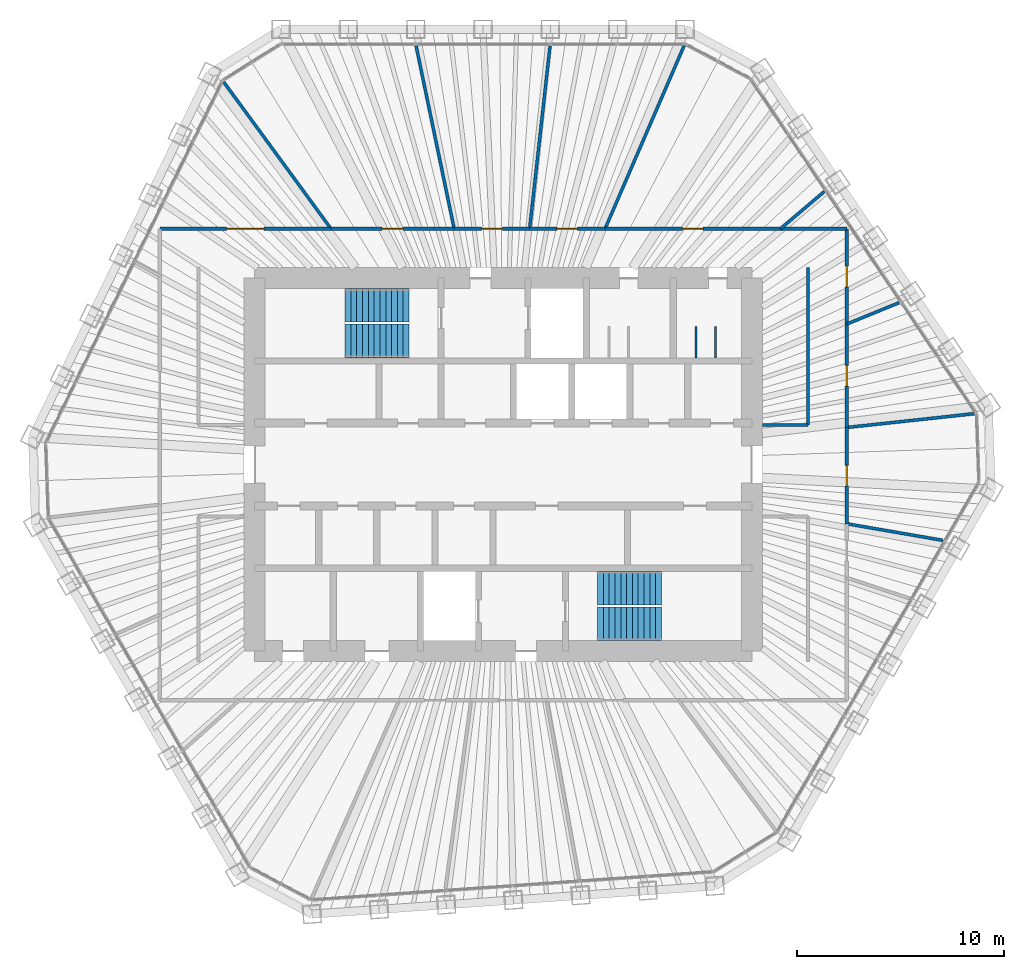
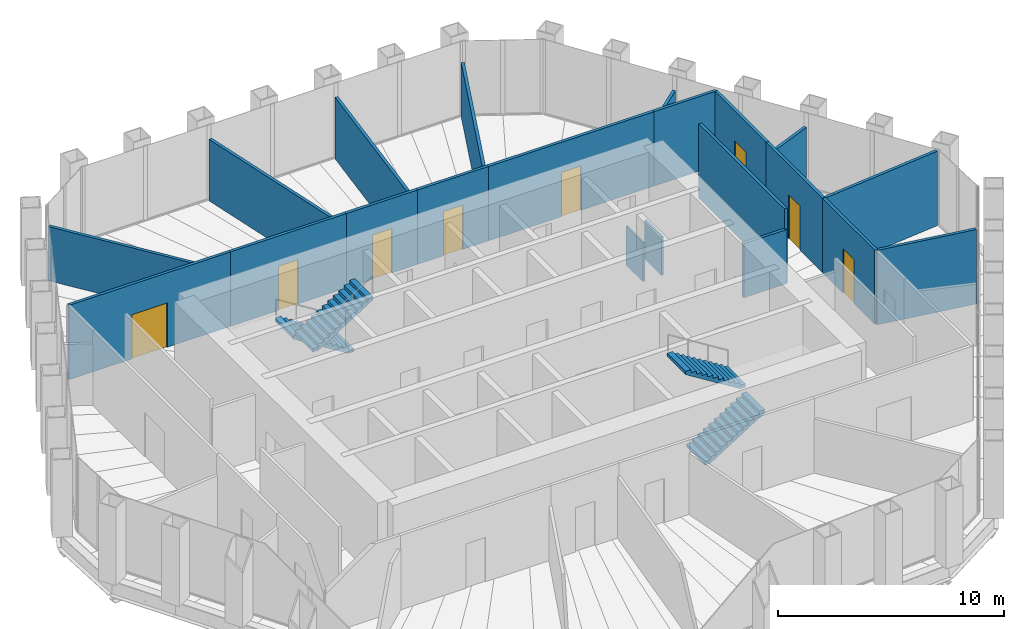
# One storey, part 13 of 14: 21 walls, 8 doors, 4 stair flights, 8 openings, 2 elements without a shape of their own.
"""IFC4 building model written with IfcOpenShell, lengths in metres."""

from ifc_helpers import new_model, si_unit, direction, frame, frame_2d, origin, place, context, subcontext, project, spatial, polyline, rectangle, outline, extrude, material, layer, layer_set, type_object, element, fill, aggregate, save


model = new_model("IFC4")

# Units and contexts
model_context = context("Model", 3, precision=1e-05, world=origin(), true_north=direction((0.0, 1.0)))
body_context = subcontext(model_context, "Body", "Model", "MODEL_VIEW")
ifc_project = project(units=[si_unit("LENGTHUNIT", "METRE"), si_unit("AREAUNIT", "SQUARE_METRE"), si_unit("VOLUMEUNIT", "CUBIC_METRE"), si_unit("PLANEANGLEUNIT", "RADIAN"), si_unit("MASSUNIT", "GRAM", prefix="KILO")], contexts=[model_context])

# Site, building, storey
site_placement = place(None, origin())
site = spatial("IfcSite", under=ifc_project, at=site_placement, CompositionType="ELEMENT")
building_placement = place(site_placement, origin())
building = spatial("IfcBuilding", under=site, at=building_placement, Name="Qingtian Harvest Tower", CompositionType="ELEMENT")
storey_placement = place(building_placement, frame((0.0, 0.0, 283.0)))
storey = spatial("IfcBuildingStorey", under=building, at=storey_placement, Name="L62", CompositionType="ELEMENT", Elevation=283.0)

# Wall
ifc_material_1 = material(Name="Gypsum board on steel studs", Category="steel")
ifc_layer_1 = layer(ifc_material_1, 0.14990234375)
ifc_layer_set_1 = layer_set([ifc_layer_1], Name="Partition PT1 150")
wall_type_1 = type_object("IfcWallType", Name="Partition PT1 150", PredefinedType="PARTITIONING", material=ifc_layer_set_1)
wall_1_placement = place(storey_placement, frame((-13.486083984375, 18.455322265625, 0.0), z_axis=(0.0, 0.0, 1.0), x_axis=(0.589997742419, -0.807404894672, 0.0)))
element("IfcWall", 1, at=wall_1_placement, inside=storey, type_object=wall_type_1, Name="Training room wall L62", PredefinedType="PARTITIONING", context=body_context, shape_type="SweptSolid", body=[
    extrude(rectangle(XDim=8.769287109375, YDim=0.14990234375, at=frame_2d((4.384765625, 0.0))), origin(), (0.0, 0.0, 1.0), 2.929931640625),
])

# Wall, opening, door
wall_2_placement = place(storey_placement, frame((-8.312255859375, 11.375, 0.0), z_axis=(0.0, 0.0, 1.0), x_axis=(1.0, 0.0, 0.0)))
wall_2 = element("IfcWall", 2, at=wall_2_placement, inside=storey, type_object=wall_type_1, Name="Training room wall L62", PredefinedType="PARTITIONING", context=body_context, shape_type="SweptSolid", body=[
    extrude(rectangle(XDim=5.944091796875, YDim=0.14990234375, at=frame_2d((2.97216796875, 0.0))), origin(), (0.0, 0.0, 1.0), 4.030029296875),
])
opening_1_placement = place(wall_2_placement, frame((2.47216796875, 0.0, 0.0)))
opening_1 = element("IfcOpeningElement", 3, at=opening_1_placement, cuts=wall_2, Name="Opening D2", PredefinedType="OPENING", context=body_context, shape_type="SweptSolid", body=[
    extrude(rectangle(XDim=1.0, YDim=2.39990234375, at=frame_2d((0.5, 1.199951171875))), frame((0.0, 0.0849609375, 0.0), z_axis=(0.0, -1.0, 0.0), x_axis=(1.0, 0.0, 0.0)), (0.0, 0.0, 1.0), 0.169921875),
])
ifc_material_2 = material(Name="Laminated timber door leaf", Category="wood")
door_type_1 = type_object("IfcDoorType", Name="Room door D2 single", OperationType="SINGLE_SWING_LEFT", PredefinedType="DOOR", material=ifc_material_2)
door_1_placement = place(opening_1_placement, origin())
door_1 = element("IfcDoor", 4, at=door_1_placement, inside=storey, type_object=door_type_1, Name="Training room door L62", OperationType="SINGLE_SWING_RIGHT", OverallHeight=2.39990234375, OverallWidth=1.0, PredefinedType="DOOR", context=body_context, shape_type="SweptSolid", body=[
    extrude(rectangle(XDim=1.0, YDim=2.39990234375, at=frame_2d((0.5, 1.199951171875))), frame((0.0, 0.02490234375, 0.0), z_axis=(0.0, -1.0, 0.0), x_axis=(1.0, 0.0, 0.0)), (0.0, 0.0, 1.0), 0.050048828125),
])
fill(opening_1, door_1)

# Wall
wall_3_placement = place(storey_placement, frame((-4.205810546875, 20.2021484375, 0.0), z_axis=(0.0, 0.0, 1.0), x_axis=(0.203811521205, -0.979010144904, 0.0)))
element("IfcWall", 5, at=wall_3_placement, inside=storey, type_object=wall_type_1, Name="Training room wall L62", PredefinedType="PARTITIONING", context=body_context, shape_type="SweptSolid", body=[
    extrude(rectangle(XDim=9.016357421875, YDim=0.14990234375, at=frame_2d((4.50830078125, 0.0))), origin(), (0.0, 0.0, 1.0), 3.330078125),
])

# Wall, opening, door
wall_4_placement = place(storey_placement, frame((-2.3681640625, 11.375, 0.0), z_axis=(0.0, 0.0, 1.0), x_axis=(1.0, 0.0, 0.0)))
wall_4 = element("IfcWall", 6, at=wall_4_placement, inside=storey, type_object=wall_type_1, Name="Training room wall L62", PredefinedType="PARTITIONING", context=body_context, shape_type="SweptSolid", body=[
    extrude(rectangle(XDim=3.64013671875, YDim=0.14990234375, at=frame_2d((1.820068359375, 0.0))), origin(), (0.0, 0.0, 1.0), 4.030029296875),
])
opening_2_placement = place(wall_4_placement, frame((1.320068359375, 0.0, 0.0)))
opening_2 = element("IfcOpeningElement", 7, at=opening_2_placement, cuts=wall_4, Name="Opening D2", PredefinedType="OPENING", context=body_context, shape_type="SweptSolid", body=[
    extrude(rectangle(XDim=1.0, YDim=2.39990234375, at=frame_2d((0.5, 1.199951171875))), frame((0.0, 0.0849609375, 0.0), z_axis=(0.0, -1.0, 0.0), x_axis=(1.0, 0.0, 0.0)), (0.0, 0.0, 1.0), 0.169921875),
])
door_2_placement = place(opening_2_placement, origin())
door_2 = element("IfcDoor", 8, at=door_2_placement, inside=storey, type_object=door_type_1, Name="Training room door L62", OperationType="SINGLE_SWING_LEFT", OverallHeight=2.39990234375, OverallWidth=1.0, PredefinedType="DOOR", context=body_context, shape_type="SweptSolid", body=[
    extrude(rectangle(XDim=1.0, YDim=2.39990234375, at=frame_2d((0.5, 1.199951171875))), frame((0.0, 0.02490234375, 0.0), z_axis=(0.0, -1.0, 0.0), x_axis=(1.0, 0.0, 0.0)), (0.0, 0.0, 1.0), 0.050048828125),
])
fill(opening_2, door_2)

# Wall
wall_5_placement = place(storey_placement, frame((2.2587890625, 20.20068359375, 0.0), z_axis=(0.0, 0.0, 1.0), x_axis=(-0.11111945026, -0.993807057619, 0.0)))
element("IfcWall", 9, at=wall_5_placement, inside=storey, type_object=wall_type_1, Name="Training room wall L62", PredefinedType="PARTITIONING", context=body_context, shape_type="SweptSolid", body=[
    extrude(rectangle(XDim=8.880615234375, YDim=0.14990234375, at=frame_2d((4.4404296875, 0.0))), origin(), (0.0, 0.0, 1.0), 3.330078125),
])

# Wall, opening, door
wall_6_placement = place(storey_placement, frame((1.27197265625, 11.375, 0.0), z_axis=(0.0, 0.0, 1.0), x_axis=(1.0, 0.0, 0.0)))
wall_6 = element("IfcWall", 10, at=wall_6_placement, inside=storey, type_object=wall_type_1, Name="Training room wall L62", PredefinedType="PARTITIONING", context=body_context, shape_type="SweptSolid", body=[
    extrude(rectangle(XDim=3.639892578125, YDim=0.14990234375, at=frame_2d((1.81982421875, 0.0))), origin(), (0.0, 0.0, 1.0), 4.030029296875),
])
opening_3_placement = place(wall_6_placement, frame((1.320068359375, 0.0, 0.0)))
opening_3 = element("IfcOpeningElement", 11, at=opening_3_placement, cuts=wall_6, Name="Opening D2", PredefinedType="OPENING", context=body_context, shape_type="SweptSolid", body=[
    extrude(rectangle(XDim=1.0, YDim=2.39990234375, at=frame_2d((0.5, 1.199951171875))), frame((0.0, 0.0849609375, 0.0), z_axis=(0.0, -1.0, 0.0), x_axis=(1.0, 0.0, 0.0)), (0.0, 0.0, 1.0), 0.169921875),
])
door_3_placement = place(opening_3_placement, origin())
door_3 = element("IfcDoor", 12, at=door_3_placement, inside=storey, type_object=door_type_1, Name="Training room door L62", OperationType="SINGLE_SWING_LEFT", OverallHeight=2.39990234375, OverallWidth=1.0, PredefinedType="DOOR", context=body_context, shape_type="SweptSolid", body=[
    extrude(rectangle(XDim=1.0, YDim=2.39990234375, at=frame_2d((0.5, 1.199951171875))), frame((0.0, 0.02490234375, 0.0), z_axis=(0.0, -1.0, 0.0), x_axis=(1.0, 0.0, 0.0)), (0.0, 0.0, 1.0), 0.050048828125),
])
fill(opening_3, door_3)

# Wall
wall_7_placement = place(storey_placement, frame((8.726318359375, 20.208251953125, 0.0), z_axis=(0.0, 0.0, 1.0), x_axis=(-0.396444279146, -0.918058785445, 0.0)))
element("IfcWall", 13, at=wall_7_placement, inside=storey, type_object=wall_type_1, Name="Private office wall L62", PredefinedType="PARTITIONING", context=body_context, shape_type="SweptSolid", body=[
    extrude(rectangle(XDim=9.62158203125, YDim=0.14990234375, at=frame_2d((4.810791015625, 0.0))), origin(), (0.0, 0.0, 1.0), 2.929931640625),
])

# Wall, opening, door
wall_8_placement = place(storey_placement, frame((4.911865234375, 11.375, 0.0), z_axis=(0.0, 0.0, 1.0), x_axis=(1.0, 0.0, 0.0)))
wall_8 = element("IfcWall", 14, at=wall_8_placement, inside=storey, type_object=wall_type_1, Name="Private office wall L62", PredefinedType="PARTITIONING", context=body_context, shape_type="SweptSolid", body=[
    extrude(rectangle(XDim=8.463134765625, YDim=0.14990234375, at=frame_2d((4.2314453125, 0.0))), origin(), (0.0, 0.0, 1.0), 4.030029296875),
])
opening_4_placement = place(wall_8_placement, frame((3.7314453125, 0.0, 0.0)))
opening_4 = element("IfcOpeningElement", 15, at=opening_4_placement, cuts=wall_8, Name="Opening D2", PredefinedType="OPENING", context=body_context, shape_type="SweptSolid", body=[
    extrude(rectangle(XDim=1.0, YDim=2.39990234375, at=frame_2d((0.5, 1.199951171875))), frame((0.0, 0.0849609375, 0.0), z_axis=(0.0, -1.0, 0.0), x_axis=(1.0, 0.0, 0.0)), (0.0, 0.0, 1.0), 0.169921875),
])
door_4_placement = place(opening_4_placement, origin())
door_4 = element("IfcDoor", 16, at=door_4_placement, inside=storey, type_object=door_type_1, Name="Private office door L62", OperationType="SINGLE_SWING_LEFT", OverallHeight=2.39990234375, OverallWidth=1.0, PredefinedType="DOOR", context=body_context, shape_type="SweptSolid", body=[
    extrude(rectangle(XDim=1.0, YDim=2.39990234375, at=frame_2d((0.5, 1.199951171875))), frame((0.0, 0.02490234375, 0.0), z_axis=(0.0, -1.0, 0.0), x_axis=(1.0, 0.0, 0.0)), (0.0, 0.0, 1.0), 0.050048828125),
])
fill(opening_4, door_4)

# Walls
wall_9_placement = place(storey_placement, frame((15.48388671875, 13.168701171875, 0.0), z_axis=(0.0, 0.0, 1.0), x_axis=(-0.761734753955, -0.647889006403, 0.0)))
element("IfcWall", 17, at=wall_9_placement, inside=storey, type_object=wall_type_1, Name="Private office wall L62", PredefinedType="PARTITIONING", context=body_context, shape_type="SweptSolid", body=[
    extrude(rectangle(XDim=2.7685546875, YDim=0.14990234375, at=frame_2d((1.38427734375, 0.0))), origin(), (0.0, 0.0, 1.0), 3.330078125),
])
wall_10_placement = place(storey_placement, frame((13.375, 11.375, 0.0), z_axis=(0.0, 0.0, 1.0), x_axis=(1.0, 0.0, 0.0)))
element("IfcWall", 18, at=wall_10_placement, inside=storey, type_object=wall_type_1, Name="Private office wall L62", PredefinedType="PARTITIONING", context=body_context, shape_type="SweptSolid", body=[
    extrude(rectangle(XDim=3.199951171875, YDim=0.14990234375, at=frame_2d((1.60009765625, 0.0))), origin(), (0.0, 0.0, 1.0), 4.030029296875),
])

# Wall, opening, door
wall_11_placement = place(storey_placement, frame((16.574951171875, 11.375, 0.0), z_axis=(0.0, 0.0, 1.0), x_axis=(0.0, -1.0, 0.0)))
wall_11 = element("IfcWall", 19, at=wall_11_placement, inside=storey, type_object=wall_type_1, Name="Private office wall L62", PredefinedType="PARTITIONING", context=body_context, shape_type="SweptSolid", body=[
    extrude(rectangle(XDim=4.597412109375, YDim=0.14990234375, at=frame_2d((2.298828125, 0.0))), origin(), (0.0, 0.0, 1.0), 4.030029296875),
])
opening_5_placement = place(wall_11_placement, frame((1.798828125, 0.0, 0.0)))
opening_5 = element("IfcOpeningElement", 20, at=opening_5_placement, cuts=wall_11, Name="Opening D2", PredefinedType="OPENING", context=body_context, shape_type="SweptSolid", body=[
    extrude(rectangle(XDim=1.0, YDim=2.39990234375, at=frame_2d((0.5, 1.199951171875))), frame((0.0, 0.0849609375, 0.0), z_axis=(0.0, -1.0, 0.0), x_axis=(1.0, 0.0, 0.0)), (0.0, 0.0, 1.0), 0.169921875),
])
door_5_placement = place(opening_5_placement, origin())
door_5 = element("IfcDoor", 21, at=door_5_placement, inside=storey, type_object=door_type_1, Name="Private office door L62", OperationType="SINGLE_SWING_LEFT", OverallHeight=2.39990234375, OverallWidth=1.0, PredefinedType="DOOR", context=body_context, shape_type="SweptSolid", body=[
    extrude(rectangle(XDim=1.0, YDim=2.39990234375, at=frame_2d((0.5, 1.199951171875))), frame((0.0, 0.02490234375, 0.0), z_axis=(0.0, -1.0, 0.0), x_axis=(1.0, 0.0, 0.0)), (0.0, 0.0, 1.0), 0.050048828125),
])
fill(opening_5, door_5)

# Wall
wall_12_placement = place(storey_placement, frame((19.10009765625, 7.81005859375, 0.0), z_axis=(0.0, 0.0, 1.0), x_axis=(-0.925616791812, -0.378462091518, 0.0)))
element("IfcWall", 22, at=wall_12_placement, inside=storey, type_object=wall_type_1, Name="Workplace zone wall L62", PredefinedType="PARTITIONING", context=body_context, shape_type="SweptSolid", body=[
    extrude(rectangle(XDim=2.72802734375, YDim=0.14990234375, at=frame_2d((1.364013671875, 0.0))), origin(), (0.0, 0.0, 1.0), 3.330078125),
])

# Wall, opening, door
wall_13_placement = place(storey_placement, frame((16.574951171875, 6.777587890625, 0.0), z_axis=(0.0, 0.0, 1.0), x_axis=(0.0, -1.0, 0.0)))
wall_13 = element("IfcWall", 23, at=wall_13_placement, inside=storey, type_object=wall_type_1, Name="Workplace zone wall L62", PredefinedType="PARTITIONING", context=body_context, shape_type="SweptSolid", body=[
    extrude(rectangle(XDim=4.989501953125, YDim=0.14990234375, at=frame_2d((2.49462890625, 0.0))), origin(), (0.0, 0.0, 1.0), 4.030029296875),
])
opening_6_placement = place(wall_13_placement, frame((1.99462890625, 0.0, 0.0)))
opening_6 = element("IfcOpeningElement", 24, at=opening_6_placement, cuts=wall_13, Name="Opening D2", PredefinedType="OPENING", context=body_context, shape_type="SweptSolid", body=[
    extrude(rectangle(XDim=1.0, YDim=2.39990234375, at=frame_2d((0.5, 1.199951171875))), frame((0.0, 0.0849609375, 0.0), z_axis=(0.0, -1.0, 0.0), x_axis=(1.0, 0.0, 0.0)), (0.0, 0.0, 1.0), 0.169921875),
])
door_6_placement = place(opening_6_placement, origin())
door_6 = element("IfcDoor", 25, at=door_6_placement, inside=storey, type_object=door_type_1, Name="Workplace zone door L62", OperationType="SINGLE_SWING_RIGHT", OverallHeight=2.39990234375, OverallWidth=1.0, PredefinedType="DOOR", context=body_context, shape_type="SweptSolid", body=[
    extrude(rectangle(XDim=1.0, YDim=2.39990234375, at=frame_2d((0.5, 1.199951171875))), frame((0.0, 0.02490234375, 0.0), z_axis=(0.0, -1.0, 0.0), x_axis=(1.0, 0.0, 0.0)), (0.0, 0.0, 1.0), 0.050048828125),
])
fill(opening_6, door_6)

# Wall
wall_14_placement = place(storey_placement, frame((22.725830078125, 2.45166015625, 0.0), z_axis=(0.0, 0.0, 1.0), x_axis=(-0.994230957157, -0.107260448581, 0.0)))
element("IfcWall", 26, at=wall_14_placement, inside=storey, type_object=wall_type_1, Name="Quiet room wall L62", PredefinedType="PARTITIONING", context=body_context, shape_type="SweptSolid", body=[
    extrude(rectangle(XDim=6.1865234375, YDim=0.14990234375, at=frame_2d((3.09326171875, 0.0))), origin(), (0.0, 0.0, 1.0), 4.030029296875),
])

# Wall, opening, door
wall_15_placement = place(storey_placement, frame((16.574951171875, 1.7880859375, 0.0), z_axis=(0.0, 0.0, 1.0), x_axis=(0.0, -1.0, 0.0)))
wall_15 = element("IfcWall", 27, at=wall_15_placement, inside=storey, type_object=wall_type_1, Name="Quiet room wall L62", PredefinedType="PARTITIONING", context=body_context, shape_type="SweptSolid", body=[
    extrude(rectangle(XDim=4.647216796875, YDim=0.14990234375, at=frame_2d((2.32373046875, 0.0))), origin(), (0.0, 0.0, 1.0), 4.030029296875),
])
opening_7_placement = place(wall_15_placement, frame((1.82373046875, 0.0, 0.0)))
opening_7 = element("IfcOpeningElement", 28, at=opening_7_placement, cuts=wall_15, Name="Opening D2", PredefinedType="OPENING", context=body_context, shape_type="SweptSolid", body=[
    extrude(rectangle(XDim=1.0, YDim=2.39990234375, at=frame_2d((0.5, 1.199951171875))), frame((0.0, 0.0849609375, 0.0), z_axis=(0.0, -1.0, 0.0), x_axis=(1.0, 0.0, 0.0)), (0.0, 0.0, 1.0), 0.169921875),
])
door_7_placement = place(opening_7_placement, origin())
door_7 = element("IfcDoor", 29, at=door_7_placement, inside=storey, type_object=door_type_1, Name="Quiet room door L62", OperationType="SINGLE_SWING_RIGHT", OverallHeight=2.39990234375, OverallWidth=1.0, PredefinedType="DOOR", context=body_context, shape_type="SweptSolid", body=[
    extrude(rectangle(XDim=1.0, YDim=2.39990234375, at=frame_2d((0.5, 1.199951171875))), frame((0.0, 0.02490234375, 0.0), z_axis=(0.0, -1.0, 0.0), x_axis=(1.0, 0.0, 0.0)), (0.0, 0.0, 1.0), 0.050048828125),
])
fill(opening_7, door_7)

# Wall
wall_16_placement = place(storey_placement, frame((21.218994140625, -3.66015625, 0.0), z_axis=(0.0, 0.0, 1.0), x_axis=(-0.985448448161, 0.16997457462, 0.0)))
element("IfcWall", 30, at=wall_16_placement, inside=storey, type_object=wall_type_1, Name="Store room wall L62", PredefinedType="PARTITIONING", context=body_context, shape_type="SweptSolid", body=[
    extrude(rectangle(XDim=4.712646484375, YDim=0.14990234375, at=frame_2d((2.3564453125, 0.0))), origin(), (0.0, 0.0, 1.0), 4.030029296875),
])

# Wall, opening, door
wall_17_placement = place(storey_placement, frame((-16.574951171875, 11.375, 0.0), z_axis=(0.0, 0.0, 1.0), x_axis=(1.0, 0.0, 0.0)))
wall_17 = element("IfcWall", 31, at=wall_17_placement, inside=storey, type_object=wall_type_1, Name="Workplace zone wall L62", PredefinedType="PARTITIONING", context=body_context, shape_type="SweptSolid", body=[
    extrude(rectangle(XDim=8.2626953125, YDim=0.14990234375, at=frame_2d((4.13134765625, 0.0))), origin(), (0.0, 0.0, 1.0), 4.030029296875),
])
opening_8_placement = place(wall_17_placement, frame((3.2314453125, 0.0, 0.0)))
opening_8 = element("IfcOpeningElement", 32, at=opening_8_placement, cuts=wall_17, Name="Opening D3", PredefinedType="OPENING", context=body_context, shape_type="SweptSolid", body=[
    extrude(rectangle(XDim=1.800048828125, YDim=2.39990234375, at=frame_2d((0.89990234375, 1.199951171875))), frame((0.0, 0.0849609375, 0.0), z_axis=(0.0, -1.0, 0.0), x_axis=(1.0, 0.0, 0.0)), (0.0, 0.0, 1.0), 0.169921875),
])
ifc_material_3 = material(Name="Laminated timber door leaf", Category="wood")
door_type_2 = type_object("IfcDoorType", Name="Room door D3 double", OperationType="DOUBLE_DOOR_DOUBLE_SWING", PredefinedType="DOOR", material=ifc_material_3)
door_8_placement = place(opening_8_placement, origin())
door_8 = element("IfcDoor", 33, at=door_8_placement, inside=storey, type_object=door_type_2, Name="Workplace zone door L62", OperationType="DOUBLE_DOOR_DOUBLE_SWING", OverallHeight=2.39990234375, OverallWidth=1.800048828125, PredefinedType="DOOR", context=body_context, shape_type="SweptSolid", body=[
    extrude(rectangle(XDim=1.800048828125, YDim=2.39990234375, at=frame_2d((0.89990234375, 1.199951171875))), frame((0.0, 0.02490234375, 0.0), z_axis=(0.0, -1.0, 0.0), x_axis=(1.0, 0.0, 0.0)), (0.0, 0.0, 1.0), 0.050048828125),
])
fill(opening_8, door_8)

# Walls
wall_18_placement = place(storey_placement, frame((14.699951171875, 1.89990234375, 0.0), z_axis=(0.0, 0.0, 1.0), x_axis=(0.0, 1.0, 0.0)))
element("IfcWall", 34, at=wall_18_placement, inside=storey, type_object=wall_type_1, Name="Coffee point wall L62", PredefinedType="PARTITIONING", context=body_context, shape_type="SweptSolid", body=[
    extrude(rectangle(XDim=7.60009765625, YDim=0.14990234375, at=frame_2d((3.800048828125, 0.0))), origin(), (0.0, 0.0, 1.0), 4.030029296875),
])
wall_19_placement = place(storey_placement, frame((12.5, 1.89990234375, 0.0), z_axis=(0.0, 0.0, 1.0), x_axis=(1.0, 0.0, 0.0)))
element("IfcWall", 35, at=wall_19_placement, inside=storey, type_object=wall_type_1, Name="Coffee point wall L62", PredefinedType="PARTITIONING", context=body_context, shape_type="SweptSolid", body=[
    extrude(rectangle(XDim=2.199951171875, YDim=0.14990234375, at=frame_2d((1.10009765625, 0.0))), origin(), (0.0, 0.0, 1.0), 2.929931640625),
])
ifc_material_4 = material(Name="Compact laminate cubicle partition", Category="plastic")
ifc_layer_2 = layer(ifc_material_4, 0.10009765625)
ifc_layer_set_2 = layer_set([ifc_layer_2], Name="WC cubicle partition WP1 100")
wall_type_2 = type_object("IfcWallType", Name="WC cubicle partition WP1 100", PredefinedType="PARTITIONING", material=ifc_layer_set_2)
for number, where, z_axis, x_axis, name in (
    (36, (9.300048828125, 5.14990234375, 0.0), (0.0, 0.0, 1.0), (0.0, 1.0, 0.0), "WC cubicle partition WCF L62"),
    (37, (10.25, 5.14990234375, 0.0), (0.0, 0.0, 1.0), (0.0, 1.0, 0.0), "WC cubicle partition WCF L62"),
):
    element("IfcWall", number, at=place(storey_placement, frame(where, z_axis=z_axis, x_axis=x_axis)), inside=storey, type_object=wall_type_2, Name=name, PredefinedType="PARTITIONING", context=body_context, shape_type="SweptSolid", body=[
        extrude(rectangle(XDim=1.5, YDim=0.10009765625, at=frame_2d((0.75, 0.0))), origin(), (0.0, 0.0, 1.0), 2.10009765625),
    ])

# Stair, stair flights
ifc_material_5 = material(Name="Concrete fc' 35 MPa", Category="concrete")
stair_type = type_object("IfcStairType", Name="Special stair ST6 4200", PredefinedType="HALF_TURN_STAIR", material=ifc_material_5)
stair_1_placement = place(storey_placement, origin())
stair_1 = element("IfcStair", 38, at=stair_1_placement, inside=storey, type_object=stair_type, Name="Special stair S1 L62", PredefinedType="HALF_TURN_STAIR")
ifc_material_6 = material(Name="Concrete fc' 35 MPa", Category="concrete")
stair_flight_type = type_object("IfcStairFlightType", Name="Stair flight SF6 4200", PredefinedType="STRAIGHT", material=ifc_material_6)
stair_flight_1_placement = place(storey_placement, frame((-4.550048828125, 7.6875, 0.0), z_axis=(0.0, 0.0, 1.0), x_axis=(-1.0, 0.0, 0.0)))
stair_flight_1 = element("IfcStairFlight", 39, at=stair_flight_1_placement, type_object=stair_flight_type, Name="S1 flight 1", NumberOfRisers=12, NumberOfTreads=11, PredefinedType="STRAIGHT", RiserHeight=0.175, TreadLength=0.28, context=body_context, shape_type="SweptSolid", body=[
    extrude(outline(polyline([(0.0, 0.0), (0.0, 0.175048828125), (0.280029296875, 0.175048828125), (0.280029296875, 0.35009765625), (0.56005859375, 0.35009765625), (0.56005859375, 0.52490234375), (0.840087890625, 0.52490234375), (0.840087890625, 0.699951171875), (1.1201171875, 0.699951171875), (1.1201171875, 0.875), (1.39990234375, 0.875), (1.39990234375, 1.050048828125), (1.679931640625, 1.050048828125), (1.679931640625, 1.22509765625), (1.9599609375, 1.22509765625), (1.9599609375, 1.39990234375), (2.239990234375, 1.39990234375), (2.239990234375, 1.574951171875), (2.52001953125, 1.574951171875), (2.52001953125, 1.75), (2.800048828125, 1.75), (2.800048828125, 1.925048828125), (3.080078125, 1.925048828125), (3.080078125, 2.10009765625), (3.080078125, 1.748291015625), (0.28271484375, 0.0), (0.0, 0.0)])), frame((0.0, 0.8125, 0.0), z_axis=(0.0, -1.0, 0.0), x_axis=(1.0, 0.0, 0.0)), (0.0, 0.0, 1.0), 1.625),
])
stair_flight_2_placement = place(storey_placement, frame((-7.6298828125, 5.96240234375, 2.10009765625), z_axis=(0.0, 0.0, 1.0), x_axis=(1.0, 0.0, 0.0)))
stair_flight_2 = element("IfcStairFlight", 40, at=stair_flight_2_placement, type_object=stair_flight_type, Name="S1 flight 2", NumberOfRisers=12, NumberOfTreads=11, PredefinedType="STRAIGHT", RiserHeight=0.175, TreadLength=0.28, context=body_context, shape_type="SweptSolid", body=[
    extrude(outline(polyline([(0.0, 0.0), (0.0, 0.175048828125), (0.280029296875, 0.175048828125), (0.280029296875, 0.35009765625), (0.56005859375, 0.35009765625), (0.56005859375, 0.52490234375), (0.840087890625, 0.52490234375), (0.840087890625, 0.699951171875), (1.1201171875, 0.699951171875), (1.1201171875, 0.875), (1.39990234375, 0.875), (1.39990234375, 1.050048828125), (1.679931640625, 1.050048828125), (1.679931640625, 1.22509765625), (1.9599609375, 1.22509765625), (1.9599609375, 1.39990234375), (2.239990234375, 1.39990234375), (2.239990234375, 1.574951171875), (2.52001953125, 1.574951171875), (2.52001953125, 1.75), (2.800048828125, 1.75), (2.800048828125, 1.925048828125), (3.080078125, 1.925048828125), (3.080078125, 2.10009765625), (3.080078125, 1.748291015625), (0.28271484375, 0.0), (0.0, 0.0)])), frame((0.0, 0.8125, 0.0), z_axis=(0.0, -1.0, 0.0), x_axis=(1.0, 0.0, 0.0)), (0.0, 0.0, 1.0), 1.625),
])
aggregate(stair_1, [stair_flight_1, stair_flight_2])

stair_2_placement = place(storey_placement, origin())
stair_2 = element("IfcStair", 41, at=stair_2_placement, inside=storey, type_object=stair_type, Name="Special stair S2 L62", PredefinedType="HALF_TURN_STAIR")
stair_flight_3_placement = place(storey_placement, frame((4.550048828125, -7.6875, 0.0), z_axis=(0.0, 0.0, 1.0), x_axis=(1.0, 0.0, 0.0)))
stair_flight_3 = element("IfcStairFlight", 42, at=stair_flight_3_placement, type_object=stair_flight_type, Name="S2 flight 1", NumberOfRisers=12, NumberOfTreads=11, PredefinedType="STRAIGHT", RiserHeight=0.175, TreadLength=0.28, context=body_context, shape_type="SweptSolid", body=[
    extrude(outline(polyline([(0.0, 0.0), (0.0, 0.175048828125), (0.280029296875, 0.175048828125), (0.280029296875, 0.35009765625), (0.56005859375, 0.35009765625), (0.56005859375, 0.52490234375), (0.840087890625, 0.52490234375), (0.840087890625, 0.699951171875), (1.1201171875, 0.699951171875), (1.1201171875, 0.875), (1.39990234375, 0.875), (1.39990234375, 1.050048828125), (1.679931640625, 1.050048828125), (1.679931640625, 1.22509765625), (1.9599609375, 1.22509765625), (1.9599609375, 1.39990234375), (2.239990234375, 1.39990234375), (2.239990234375, 1.574951171875), (2.52001953125, 1.574951171875), (2.52001953125, 1.75), (2.800048828125, 1.75), (2.800048828125, 1.925048828125), (3.080078125, 1.925048828125), (3.080078125, 2.10009765625), (3.080078125, 1.748291015625), (0.28271484375, 0.0), (0.0, 0.0)])), frame((0.0, 0.8125, 0.0), z_axis=(0.0, -1.0, 0.0), x_axis=(1.0, 0.0, 0.0)), (0.0, 0.0, 1.0), 1.625),
])
stair_flight_4_placement = place(storey_placement, frame((7.6298828125, -5.96240234375, 2.10009765625), z_axis=(0.0, 0.0, 1.0), x_axis=(-1.0, 0.0, 0.0)))
stair_flight_4 = element("IfcStairFlight", 43, at=stair_flight_4_placement, type_object=stair_flight_type, Name="S2 flight 2", NumberOfRisers=12, NumberOfTreads=11, PredefinedType="STRAIGHT", RiserHeight=0.175, TreadLength=0.28, context=body_context, shape_type="SweptSolid", body=[
    extrude(outline(polyline([(0.0, 0.0), (0.0, 0.175048828125), (0.280029296875, 0.175048828125), (0.280029296875, 0.35009765625), (0.56005859375, 0.35009765625), (0.56005859375, 0.52490234375), (0.840087890625, 0.52490234375), (0.840087890625, 0.699951171875), (1.1201171875, 0.699951171875), (1.1201171875, 0.875), (1.39990234375, 0.875), (1.39990234375, 1.050048828125), (1.679931640625, 1.050048828125), (1.679931640625, 1.22509765625), (1.9599609375, 1.22509765625), (1.9599609375, 1.39990234375), (2.239990234375, 1.39990234375), (2.239990234375, 1.574951171875), (2.52001953125, 1.574951171875), (2.52001953125, 1.75), (2.800048828125, 1.75), (2.800048828125, 1.925048828125), (3.080078125, 1.925048828125), (3.080078125, 2.10009765625), (3.080078125, 1.748291015625), (0.28271484375, 0.0), (0.0, 0.0)])), frame((0.0, 0.8125, 0.0), z_axis=(0.0, -1.0, 0.0), x_axis=(1.0, 0.0, 0.0)), (0.0, 0.0, 1.0), 1.625),
])
aggregate(stair_2, [stair_flight_3, stair_flight_4])

save(model, "model.ifc")
